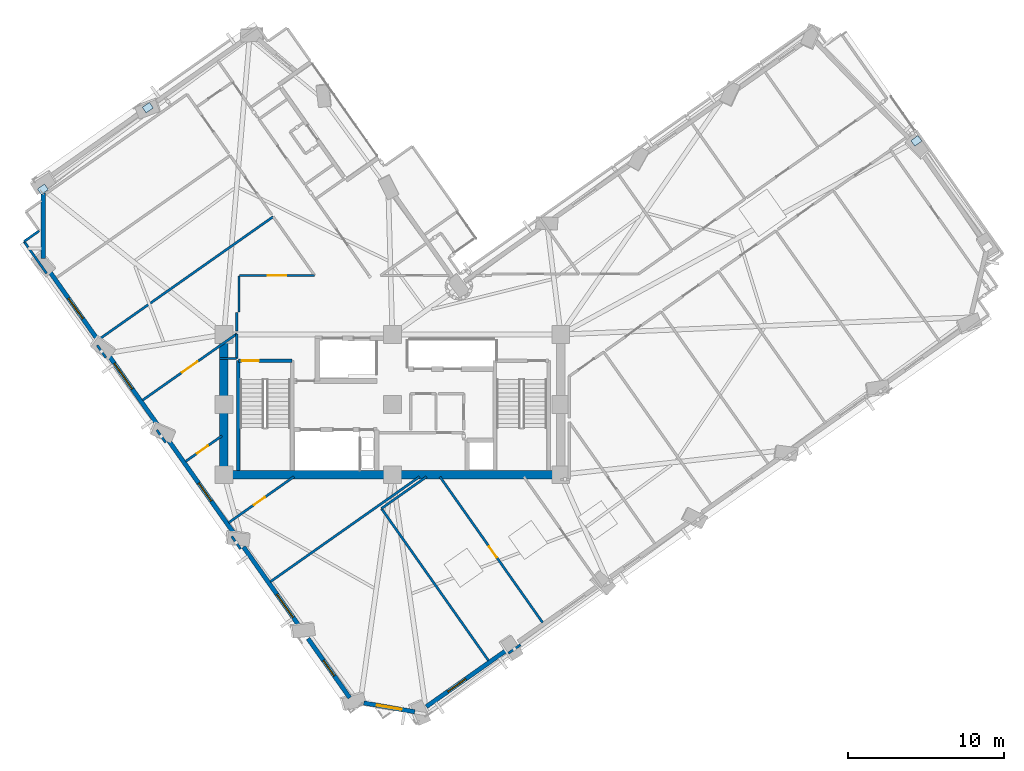
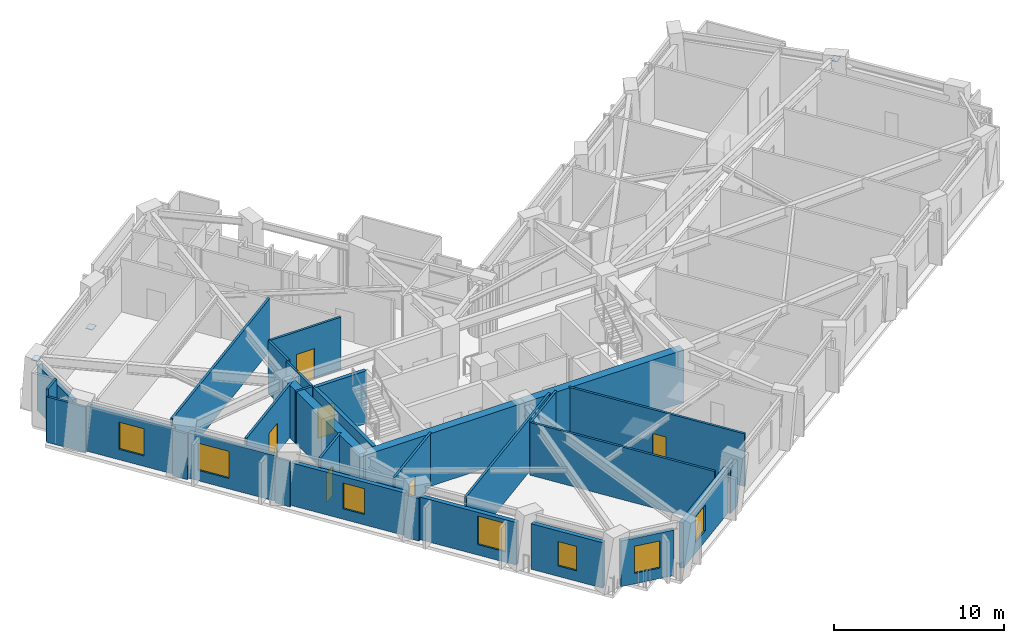
# One storey, part 4 of 13: 32 walls, 7 windows, 6 doors, 3 plates, 13 openings.
"""IFC4 building model written with IfcOpenShell, lengths in metres."""

import ifcopenshell
import ifcopenshell.guid

model = None  # the IFC model being written
_history = None  # IfcOwnerHistory: only IFC2X3 demands one
_inside = {}  # id of a spatial element -> (the spatial element, [elements in it])
_under = {}  # id of a project, library or spatial element -> (it, [spatial elements below it])
_declared = {}  # id of a project -> (the project, [libraries it declares])
_typed = {}  # id of a type object -> (the type object, [elements of that type])
_made_of = {}  # id of a material, layer set ... -> (it, [elements and type objects made of it])


def new_model(schema):
    """Start an empty IFC model of exactly this schema.

    Asked for "IFC4X3", IfcOpenShell would pick the latest addendum, in which some entities
    have other attributes; the version numbers below select the first issue.
    IFC2X3 requires an IfcOwnerHistory on every rooted entity: one is made here for all.
    """
    global model, _history
    if schema == "IFC4X3":
        model = ifcopenshell.file(schema_version=(4, 3, 0, 0))
    else:
        model = ifcopenshell.file(schema=schema)
    _inside.clear()
    _under.clear()
    _declared.clear()
    _typed.clear()
    _made_of.clear()
    _history = None
    if model.schema == "IFC2X3":
        org = make("IfcOrganization", Name="unknown")
        user = make(
            "IfcPersonAndOrganization",
            ThePerson=make("IfcPerson", FamilyName="unknown"),
            TheOrganization=org,
        )
        app = make(
            "IfcApplication",
            ApplicationDeveloper=org,
            Version="unknown",
            ApplicationFullName="unknown",
            ApplicationIdentifier="unknown",
        )
        _history = make(
            "IfcOwnerHistory",
            OwningUser=user,
            OwningApplication=app,
            ChangeAction="ADDED",
            CreationDate=0,
        )
    return model


def make(cls, **values):
    """One entity of the class cls with the attributes given. An attribute that is None is left unset."""
    return model.create_entity(
        cls, **{name: value for name, value in values.items() if value is not None}
    )


def rooted(cls, **values):
    """An entity with a GlobalId (a new one), such as an element, a storey or a relation."""
    return make(cls, GlobalId=ifcopenshell.guid.new(), OwnerHistory=_history, **values)


def si_unit(unit_type, name, prefix=None):
    """IfcSIUnit, for example si_unit("LENGTHUNIT", "METRE", prefix="MILLI")."""
    return make("IfcSIUnit", UnitType=unit_type, Prefix=prefix, Name=name)


def assignment(units):
    """IfcUnitAssignment: the units of a project."""
    return None if units is None else make("IfcUnitAssignment", Units=units)


def point(xyz):
    """IfcCartesianPoint."""
    return None if xyz is None else make("IfcCartesianPoint", Coordinates=xyz)


def direction(xyz):
    """IfcDirection."""
    return None if xyz is None else make("IfcDirection", DirectionRatios=xyz)


def frame(location, z_axis=None, x_axis=None):
    """IfcAxis2Placement3D, a coordinate frame: its origin and axes. An axis left out is left unset."""
    return make(
        "IfcAxis2Placement3D",
        Location=point(location),
        Axis=direction(z_axis),
        RefDirection=direction(x_axis),
    )


def frame_2d(location, x_axis=None):
    """IfcAxis2Placement2D, a coordinate frame in the plane: its origin and x axis."""
    return make(
        "IfcAxis2Placement2D", Location=point(location), RefDirection=direction(x_axis)
    )


def origin():
    """The frame at (0, 0, 0) with its axes left unset."""
    return frame((0.0, 0.0, 0.0))


def origin_2d():
    """The frame at (0, 0) in the plane with its x axis left unset."""
    return frame_2d((0.0, 0.0))


def place(relative_to, where):
    """IfcLocalPlacement: puts the frame where relative to a parent placement (None: the world)."""
    return make(
        "IfcLocalPlacement", PlacementRelTo=relative_to, RelativePlacement=where
    )


def context(
    kind, dimensions, precision=None, world=None, true_north=None, identifier=None
):
    """IfcGeometricRepresentationContext, for example the 3D "Model" context."""
    return make(
        "IfcGeometricRepresentationContext",
        ContextIdentifier=identifier,
        ContextType=kind,
        CoordinateSpaceDimension=dimensions,
        Precision=precision,
        WorldCoordinateSystem=world,
        TrueNorth=true_north,
    )


def subcontext(parent, identifier, kind, view, scale=None):
    """IfcGeometricRepresentationSubContext, for example "Body" below "Model"."""
    return make(
        "IfcGeometricRepresentationSubContext",
        ContextIdentifier=identifier,
        ContextType=kind,
        ParentContext=parent,
        TargetScale=scale,
        TargetView=view,
    )


def project(units=None, contexts=None):
    """IfcProject with its units and contexts."""
    return rooted(
        "IfcProject",
        Name="project",
        RepresentationContexts=contexts,
        UnitsInContext=assignment(units),
    )


def spatial(cls, under=None, at=None, **own):
    """A site, building, storey or space (cls), placed at a placement, below another one or the project."""
    s = rooted(cls, ObjectPlacement=at, **own)
    if under is not None:
        _under.setdefault(under.id(), (under, []))[1].append(s)
    return s


def profile(cls, at=None, kind="AREA", **sizes):
    """A parametric profile (cls). Its sizes go by their IFC names, for example OverallWidth=200.0."""
    return make(cls, ProfileType=kind, Position=at, **sizes)


def rectangle(**sizes):
    """IfcRectangleProfileDef."""
    return profile("IfcRectangleProfileDef", **sizes)


def extrude(swept, where, along, depth):
    """IfcExtrudedAreaSolid: the profile swept, set in the frame where, extruded along a direction by depth."""
    return make(
        "IfcExtrudedAreaSolid",
        SweptArea=swept,
        Position=where,
        ExtrudedDirection=direction(along),
        Depth=depth,
    )


def shape(context_of_items, identifier, shape_type, items):
    """IfcShapeRepresentation: the items that make up one representation, for example the "Body"."""
    return make(
        "IfcShapeRepresentation",
        ContextOfItems=context_of_items,
        RepresentationIdentifier=identifier,
        RepresentationType=shape_type,
        Items=items,
    )


def material(Name=None, Category=None):
    """IfcMaterial."""
    return make("IfcMaterial", Name=Name, Category=Category)


def layer(
    of_material, thickness, ventilated=None, Name=None, Category=None, Priority=None
):
    """IfcMaterialLayer: one layer of a wall or slab, of a material (None: an air gap)."""
    return make(
        "IfcMaterialLayer",
        Material=of_material,
        LayerThickness=thickness,
        IsVentilated=ventilated,
        Name=Name,
        Category=Category,
        Priority=Priority,
    )


def layer_set(layers, Name=None):
    """IfcMaterialLayerSet."""
    return make("IfcMaterialLayerSet", MaterialLayers=layers, LayerSetName=Name)


def made_of(thing, what):
    """Note that an element or type object is made of a material, layer set ...; save() writes the relation."""
    if what is not None:
        _made_of.setdefault(what.id(), (what, []))[1].append(thing)
    return thing


def type_object(cls, material=None, **own):
    """A type object (cls), such as IfcWallType, which elements share."""
    return made_of(rooted(cls, **own), material)


def element(
    cls,
    number,
    at=None,
    inside=None,
    cuts=None,
    type_object=None,
    material=None,
    context=None,
    identifier="Body",
    shape_type=None,
    held_by="IfcProductDefinitionShape",
    body=None,
    shapes=None,
    **own,
):
    """One element of the class cls, such as IfcWall. Its Tag is "e" and its number.

    at: its placement. inside: the storey or other place that contains it. cuts: it is an
    opening in that element (IfcRelVoidsElement). A single representation is given by context,
    identifier, shape_type and body (its items); several are given by shapes. held_by: the class
    of the entity that holds the representations. save() writes the other relations.
    """
    e = rooted(cls, Tag="e%d" % number, ObjectPlacement=at, **own)
    if body is not None:
        shapes = [shape(context, identifier, shape_type, body)]
    if shapes is not None:
        e.Representation = make(held_by, Representations=shapes)
    if inside is not None:
        _inside.setdefault(inside.id(), (inside, []))[1].append(e)
    if cuts is not None:
        rooted(
            "IfcRelVoidsElement", RelatingBuildingElement=cuts, RelatedOpeningElement=e
        )
    if type_object is not None:
        _typed.setdefault(type_object.id(), (type_object, []))[1].append(e)
    return made_of(e, material)


def fill(opening, filler):
    """IfcRelFillsElement: the door or window that sits in an opening."""
    return rooted(
        "IfcRelFillsElement",
        RelatingOpeningElement=opening,
        RelatedBuildingElement=filler,
    )


def aggregate(whole, parts):
    """IfcRelAggregates: a whole, such as a stair, and the parts it consists of."""
    return rooted("IfcRelAggregates", RelatingObject=whole, RelatedObjects=parts)


def save(model, path):
    """Write the relations noted so far, then the file.

    IfcRelAggregates (storeys below a building ...), IfcRelContainedInSpatialStructure (elements
    in a storey), IfcRelDefinesByType, IfcRelAssociatesMaterial and IfcRelDeclares: one each for
    every whole, place, type object, material and project.
    """
    for whole, parts in _under.values():
        aggregate(whole, parts)
    for where, things in _inside.values():
        rooted(
            "IfcRelContainedInSpatialStructure",
            RelatedElements=things,
            RelatingStructure=where,
        )
    for kind, things in _typed.values():
        rooted("IfcRelDefinesByType", RelatedObjects=things, RelatingType=kind)
    for what, things in _made_of.values():
        rooted("IfcRelAssociatesMaterial", RelatedObjects=things, RelatingMaterial=what)
    for by, libraries in _declared.values():
        rooted("IfcRelDeclares", RelatingContext=by, RelatedDefinitions=libraries)
    model.write(path)


model = new_model("IFC4")

# Units and contexts
model_context = context("Model", 3, precision=1e-05, world=origin(), true_north=direction((0.0, 1.0)))
body_context = subcontext(model_context, "Body", "Model", "MODEL_VIEW")
ifc_project = project(units=[si_unit("LENGTHUNIT", "METRE"), si_unit("AREAUNIT", "SQUARE_METRE"), si_unit("VOLUMEUNIT", "CUBIC_METRE"), si_unit("PLANEANGLEUNIT", "RADIAN"), si_unit("MASSUNIT", "GRAM", prefix="KILO")], contexts=[model_context])

# Site, building, storey
site_placement = place(None, origin())
site = spatial("IfcSite", under=ifc_project, at=site_placement, CompositionType="ELEMENT")
building_placement = place(site_placement, origin())
building = spatial("IfcBuilding", under=site, at=building_placement, Name="Gaonmaruhae Medical Tower", CompositionType="ELEMENT")
storey_placement = place(building_placement, frame((0.0, 0.0, 173.800048828125)))
storey = spatial("IfcBuildingStorey", under=building, at=storey_placement, Name="L41", CompositionType="ELEMENT", Elevation=173.800048828125)

# Plates
ifc_material_1 = material(Name="Steel HSA650 (650 MPa)", Category="steel")
ifc_layer_1 = layer(ifc_material_1, 0.028076171875)
ifc_layer_set_1 = layer_set([ifc_layer_1], Name="Steel HSA650 (650 MPa)")
plate_type = type_object("IfcPlateType", Name="GP-02 Tube Brace End Cap Gusset Plate", PredefinedType="USERDEFINED", material=ifc_layer_set_1)
for number, where, z_axis, x_axis, name in (
    (1, (58.41162109375, 29.217041015625, 3.51611328125), (0.0, 0.0, 1.0), (0.807989883898, 0.589196357353, 0.0), "L41 Gusset Cap Plate PLT-L41-PBR-E01B"),
    (2, (9.115478515625, 31.347900390625, 0.23583984375), (0.0, 0.0, 1.0), (0.817647619217, 0.575719003324, 0.0), "L41 Gusset Cap Plate PLT-L41-PBR-N02A"),
    (3, (2.384765625, 26.109619140625, 3.51611328125), (0.0, 0.0, 1.0), (0.807989883898, 0.589196357353, 0.0), "L41 Gusset Cap Plate PLT-L41-PBR-N02B"),
):
    element("IfcPlate", number, at=place(storey_placement, frame(where, z_axis=z_axis, x_axis=x_axis)), inside=storey, type_object=plate_type, Name=name, ObjectType="GUSSET_PLATE", PredefinedType="USERDEFINED", context=body_context, shape_type="SweptSolid", body=[
        extrude(rectangle(XDim=0.56005859375, YDim=0.43994140625, at=origin_2d()), origin(), (0.0, 0.0, 1.0), 0.028076171875),
    ])

# Walls
ifc_material_2 = material(Name="Concrete C50/60", Category="concrete")
ifc_layer_2 = layer(ifc_material_2, 0.550048828125)
ifc_layer_set_2 = layer_set([ifc_layer_2], Name="Concrete C50/60")
wall_type_1 = type_object("IfcWallType", Name="CW-550 Mid-High Core Shear Wall", PredefinedType="SHEAR", material=ifc_layer_set_2)
for number, where, z_axis, x_axis, name in (
    (4, (14.0, 7.800048828125, 0.0), (0.0, 0.0, 1.0), (1.0, 0.0, 0.0), "L41 Core Shear Wall CSW-S1"),
    (5, (24.800048828125, 7.800048828125, 0.0), (0.0, 0.0, 1.0), (1.0, 0.0, 0.0), "L41 Core Shear Wall CSW-S2"),
):
    element("IfcWall", number, at=place(storey_placement, frame(where, z_axis=z_axis, x_axis=x_axis)), inside=storey, type_object=wall_type_1, Name=name, PredefinedType="SHEAR", context=body_context, shape_type="SweptSolid", body=[
        extrude(rectangle(XDim=10.800048828125, YDim=0.550048828125, at=frame_2d((5.39990234375, 0.0))), origin(), (0.0, 0.0, 1.0), 3.780029296875),
    ])
wall_1_placement = place(storey_placement, frame((14.0, 16.800048828125, 0.0), z_axis=(0.0, 0.0, 1.0), x_axis=(0.0, -1.0, 0.0)))
element("IfcWall", 6, at=wall_1_placement, inside=storey, type_object=wall_type_1, Name="L41 Core Shear Wall CSW-W1", PredefinedType="SHEAR", context=body_context, shape_type="SweptSolid", body=[
    extrude(rectangle(XDim=9.0, YDim=0.550048828125, at=frame_2d((4.5, 0.0))), origin(), (0.0, 0.0, 1.0), 3.780029296875),
])

# Wall, opening, window
ifc_material_3 = material(Name="Precast concrete C45/55", Category="concrete")
ifc_layer_3 = layer(ifc_material_3, 0.280029296875)
ifc_layer_set_3 = layer_set([ifc_layer_3], Name="Precast concrete C45/55")
wall_type_2 = type_object("IfcWallType", Name="EW-280 Upper Precast Masonry-Frame Facade Wall", PredefinedType="SOLIDWALL", material=ifc_layer_set_3)
wall_2_placement = place(storey_placement, frame((32.10888671875, -3.462158203125, 0.0), z_axis=(0.0, 0.0, 1.0), x_axis=(-0.817648237546, -0.57571812516, 0.0)))
wall_2 = element("IfcWall", 7, at=wall_2_placement, inside=storey, type_object=wall_type_2, Name="L41 Precast Masonry-Frame Wall S01-S02", PredefinedType="SOLIDWALL", context=body_context, shape_type="SweptSolid", body=[
    extrude(rectangle(XDim=6.269775390625, YDim=0.280029296875, at=frame_2d((3.134765625, 0.0))), origin(), (0.0, 0.0, 1.0), 3.264892578125),
])
opening_1_placement = place(wall_2_placement, frame((3.18408203125, 0.0, 0.75)))
opening_1 = element("IfcOpeningElement", 8, at=opening_1_placement, cuts=wall_2, Name="Opening WN-03", PredefinedType="OPENING", context=body_context, shape_type="SweptSolid", body=[
    extrude(rectangle(XDim=1.39990234375, YDim=1.85009765625, at=frame_2d((0.699951171875, 0.925048828125))), frame((0.0, 0.14990234375, 0.0), z_axis=(0.0, -1.0, 0.0), x_axis=(1.0, 0.0, 0.0)), (0.0, 0.0, 1.0), 0.300048828125),
])
ifc_material_4 = material(Name="Anodised aluminium and Low-E double glazing", Category="aluminium")
window_type_1 = type_object("IfcWindowType", Name="WN-03 Isolation Ward Punched Window 1400x1850", PartitioningType="SINGLE_PANEL", PredefinedType="WINDOW", material=ifc_material_4)
window_1_placement = place(opening_1_placement, origin())
window_1 = element("IfcWindow", 9, at=window_1_placement, inside=storey, type_object=window_type_1, Name="L41 Modular Facade Window S01", OverallHeight=1.85009765625, OverallWidth=1.39990234375, PartitioningType="SINGLE_PANEL", PredefinedType="WINDOW", context=body_context, shape_type="SweptSolid", body=[
    extrude(rectangle(XDim=1.39990234375, YDim=1.85009765625, at=frame_2d((0.699951171875, 0.925048828125))), frame((0.0, 0.030029296875, 0.0), z_axis=(0.0, -1.0, 0.0), x_axis=(1.0, 0.0, 0.0)), (0.0, 0.0, 1.0), 0.06005859375),
])
fill(opening_1, window_1)

# Wall
wall_3_placement = place(storey_placement, frame((2.40478515625, 21.66162109375, 0.0), z_axis=(0.0, 0.0, 1.0), x_axis=(0.001217602159, 0.999999258722, 0.0)))
element("IfcWall", 10, at=wall_3_placement, inside=storey, type_object=wall_type_2, Name="L41 Precast Masonry-Frame Wall N03-W01", PredefinedType="SOLIDWALL", context=body_context, shape_type="SweptSolid", body=[
    extrude(rectangle(XDim=4.210693359375, YDim=0.280029296875, at=frame_2d((2.10546875, 0.0))), origin(), (0.0, 0.0, 1.0), 3.264892578125),
])

# Wall, opening, window
wall_4_placement = place(storey_placement, frame((6.052978515625, 16.243408203125, 0.0), z_axis=(0.0, 0.0, 1.0), x_axis=(-0.575713674911, 0.817651371014, 0.0)))
wall_4 = element("IfcWall", 11, at=wall_4_placement, inside=storey, type_object=wall_type_2, Name="L41 Precast Masonry-Frame Wall W01-W02", PredefinedType="SOLIDWALL", context=body_context, shape_type="SweptSolid", body=[
    extrude(rectangle(XDim=5.627685546875, YDim=0.280029296875, at=frame_2d((2.81396484375, 0.0))), origin(), (0.0, 0.0, 1.0), 3.264892578125),
])
opening_2_placement = place(wall_4_placement, frame((1.916748046875, 0.0, 0.75)))
opening_2 = element("IfcOpeningElement", 12, at=opening_2_placement, cuts=wall_4, Name="Opening WN-01", PredefinedType="OPENING", context=body_context, shape_type="SweptSolid", body=[
    extrude(rectangle(XDim=1.60009765625, YDim=1.949951171875, at=frame_2d((0.800048828125, 0.97509765625))), frame((0.0, 0.14990234375, 0.0), z_axis=(0.0, -1.0, 0.0), x_axis=(1.0, 0.0, 0.0)), (0.0, 0.0, 1.0), 0.300048828125),
])
window_type_2 = type_object("IfcWindowType", Name="WN-01 Ward Punched Acoustic Window 1600x1950", PartitioningType="SINGLE_PANEL", PredefinedType="WINDOW", material=ifc_material_4)
window_2_placement = place(opening_2_placement, origin())
window_2 = element("IfcWindow", 13, at=window_2_placement, inside=storey, type_object=window_type_2, Name="L41 Modular Facade Window W01", OverallHeight=1.949951171875, OverallWidth=1.60009765625, PartitioningType="SINGLE_PANEL", PredefinedType="WINDOW", context=body_context, shape_type="SweptSolid", body=[
    extrude(rectangle(XDim=1.60009765625, YDim=1.949951171875, at=frame_2d((0.800048828125, 0.97509765625))), frame((0.0, 0.030029296875, 0.0), z_axis=(0.0, -1.0, 0.0), x_axis=(1.0, 0.0, 0.0)), (0.0, 0.0, 1.0), 0.06005859375),
])
fill(opening_2, window_2)

wall_5_placement = place(storey_placement, frame((9.87841796875, 10.810302734375, 0.0), z_axis=(0.0, 0.0, 1.0), x_axis=(-0.575714474807, 0.817650807801, 0.0)))
wall_5 = element("IfcWall", 14, at=wall_5_placement, inside=storey, type_object=wall_type_2, Name="L41 Precast Masonry-Frame Wall W02-W03", PredefinedType="SOLIDWALL", context=body_context, shape_type="SweptSolid", body=[
    extrude(rectangle(XDim=5.662109375, YDim=0.280029296875, at=frame_2d((2.8310546875, 0.0))), origin(), (0.0, 0.0, 1.0), 3.264892578125),
])
opening_3_placement = place(wall_5_placement, frame((3.0556640625, 0.0, 0.75)))
opening_3 = element("IfcOpeningElement", 15, at=opening_3_placement, cuts=wall_5, Name="Opening WN-02", PredefinedType="OPENING", context=body_context, shape_type="SweptSolid", body=[
    extrude(rectangle(XDim=2.0, YDim=1.949951171875, at=frame_2d((1.0, 0.97509765625))), frame((0.0, 0.14990234375, 0.0), z_axis=(0.0, -1.0, 0.0), x_axis=(1.0, 0.0, 0.0)), (0.0, 0.0, 1.0), 0.300048828125),
])
window_type_3 = type_object("IfcWindowType", Name="WN-02 Double-Bed Ward Punched Window 2000x1950", PartitioningType="SINGLE_PANEL", PredefinedType="WINDOW", material=ifc_material_4)
window_3_placement = place(opening_3_placement, origin())
window_3 = element("IfcWindow", 16, at=window_3_placement, inside=storey, type_object=window_type_3, Name="L41 Modular Facade Window W02", OverallHeight=1.949951171875, OverallWidth=2.0, PartitioningType="SINGLE_PANEL", PredefinedType="WINDOW", context=body_context, shape_type="SweptSolid", body=[
    extrude(rectangle(XDim=2.0, YDim=1.949951171875, at=frame_2d((1.0, 0.97509765625))), frame((0.0, 0.030029296875, 0.0), z_axis=(0.0, -1.0, 0.0), x_axis=(1.0, 0.0, 0.0)), (0.0, 0.0, 1.0), 0.06005859375),
])
fill(opening_3, window_3)

wall_6_placement = place(storey_placement, frame((14.68701171875, 3.981201171875, 0.0), z_axis=(0.0, 0.0, 1.0), x_axis=(-0.575708660285, 0.817654901822, 0.0)))
wall_6 = element("IfcWall", 17, at=wall_6_placement, inside=storey, type_object=wall_type_2, Name="L41 Precast Masonry-Frame Wall W03-W04", PredefinedType="SOLIDWALL", context=body_context, shape_type="SweptSolid", body=[
    extrude(rectangle(XDim=7.360107421875, YDim=0.280029296875, at=frame_2d((3.68017578125, 0.0))), origin(), (0.0, 0.0, 1.0), 3.06494140625),
])
opening_4_placement = place(wall_6_placement, frame((2.614013671875, 0.0, 0.75)))
opening_4 = element("IfcOpeningElement", 18, at=opening_4_placement, cuts=wall_6, Name="Opening WN-03", PredefinedType="OPENING", context=body_context, shape_type="SweptSolid", body=[
    extrude(rectangle(XDim=1.39990234375, YDim=1.85009765625, at=frame_2d((0.699951171875, 0.925048828125))), frame((0.0, 0.14990234375, 0.0), z_axis=(0.0, -1.0, 0.0), x_axis=(1.0, 0.0, 0.0)), (0.0, 0.0, 1.0), 0.300048828125),
])
window_4_placement = place(opening_4_placement, origin())
window_4 = element("IfcWindow", 19, at=window_4_placement, inside=storey, type_object=window_type_1, Name="L41 Modular Facade Window W03", OverallHeight=1.85009765625, OverallWidth=1.39990234375, PartitioningType="SINGLE_PANEL", PredefinedType="WINDOW", context=body_context, shape_type="SweptSolid", body=[
    extrude(rectangle(XDim=1.39990234375, YDim=1.85009765625, at=frame_2d((0.699951171875, 0.925048828125))), frame((0.0, 0.030029296875, 0.0), z_axis=(0.0, -1.0, 0.0), x_axis=(1.0, 0.0, 0.0)), (0.0, 0.0, 1.0), 0.06005859375),
])
fill(opening_4, window_4)

wall_7_placement = place(storey_placement, frame((18.837890625, -1.9140625, 0.0), z_axis=(0.0, 0.0, 1.0), x_axis=(-0.575721738491, 0.817645693334, 0.0)))
wall_7 = element("IfcWall", 20, at=wall_7_placement, inside=storey, type_object=wall_type_2, Name="L41 Precast Masonry-Frame Wall W04-W05", PredefinedType="SOLIDWALL", context=body_context, shape_type="SweptSolid", body=[
    extrude(rectangle(XDim=6.223388671875, YDim=0.280029296875, at=frame_2d((3.11181640625, 0.0))), origin(), (0.0, 0.0, 1.0), 3.06494140625),
])
opening_5_placement = place(wall_7_placement, frame((0.7001953125, 0.0, 0.75)))
opening_5 = element("IfcOpeningElement", 21, at=opening_5_placement, cuts=wall_7, Name="Opening WN-04", PredefinedType="OPENING", context=body_context, shape_type="SweptSolid", body=[
    extrude(rectangle(XDim=1.800048828125, YDim=2.050048828125, at=frame_2d((0.89990234375, 1.02490234375))), frame((0.0, 0.14990234375, 0.0), z_axis=(0.0, -1.0, 0.0), x_axis=(1.0, 0.0, 0.0)), (0.0, 0.0, 1.0), 0.300048828125),
])
window_type_4 = type_object("IfcWindowType", Name="WN-04 Clinic & Consult Punched Window 1800x2050", PartitioningType="SINGLE_PANEL", PredefinedType="WINDOW", material=ifc_material_4)
window_5_placement = place(opening_5_placement, origin())
window_5 = element("IfcWindow", 22, at=window_5_placement, inside=storey, type_object=window_type_4, Name="L41 Modular Facade Window W04", OverallHeight=2.050048828125, OverallWidth=1.800048828125, PartitioningType="SINGLE_PANEL", PredefinedType="WINDOW", context=body_context, shape_type="SweptSolid", body=[
    extrude(rectangle(XDim=1.800048828125, YDim=2.050048828125, at=frame_2d((0.89990234375, 1.02490234375))), frame((0.0, 0.030029296875, 0.0), z_axis=(0.0, -1.0, 0.0), x_axis=(1.0, 0.0, 0.0)), (0.0, 0.0, 1.0), 0.06005859375),
])
fill(opening_5, window_5)

wall_8_placement = place(storey_placement, frame((22.0693359375, -6.50341796875, 0.0), z_axis=(0.0, 0.0, 1.0), x_axis=(-0.575723715056, 0.81764430159, 0.0)))
wall_8 = element("IfcWall", 23, at=wall_8_placement, inside=storey, type_object=wall_type_2, Name="L41 Precast Masonry-Frame Wall W05-W06", PredefinedType="SOLIDWALL", context=body_context, shape_type="SweptSolid", body=[
    extrude(rectangle(XDim=4.647216796875, YDim=0.280029296875, at=frame_2d((2.32373046875, 0.0))), origin(), (0.0, 0.0, 1.0), 3.264892578125),
])
opening_6_placement = place(wall_8_placement, frame((1.72705078125, 0.0, 0.75)))
opening_6 = element("IfcOpeningElement", 24, at=opening_6_placement, cuts=wall_8, Name="Opening WN-05", PredefinedType="OPENING", context=body_context, shape_type="SweptSolid", body=[
    extrude(rectangle(XDim=1.199951171875, YDim=1.75, at=frame_2d((0.60009765625, 0.875))), frame((0.0, 0.14990234375, 0.0), z_axis=(0.0, -1.0, 0.0), x_axis=(1.0, 0.0, 0.0)), (0.0, 0.0, 1.0), 0.300048828125),
])
window_type_5 = type_object("IfcWindowType", Name="WN-05 Support & Staff Punched Window 1200x1750", PartitioningType="SINGLE_PANEL", PredefinedType="WINDOW", material=ifc_material_4)
window_6_placement = place(opening_6_placement, origin())
window_6 = element("IfcWindow", 25, at=window_6_placement, inside=storey, type_object=window_type_5, Name="L41 Modular Facade Window W05", OverallHeight=1.75, OverallWidth=1.199951171875, PartitioningType="SINGLE_PANEL", PredefinedType="WINDOW", context=body_context, shape_type="SweptSolid", body=[
    extrude(rectangle(XDim=1.199951171875, YDim=1.75, at=frame_2d((0.60009765625, 0.875))), frame((0.0, 0.030029296875, 0.0), z_axis=(0.0, -1.0, 0.0), x_axis=(1.0, 0.0, 0.0)), (0.0, 0.0, 1.0), 0.06005859375),
])
fill(opening_6, window_6)

wall_9_placement = place(storey_placement, frame((26.239990234375, -7.402099609375, 0.0), z_axis=(0.0, 0.0, 1.0), x_axis=(-0.985263477488, 0.171043503027, 0.0)))
wall_9 = element("IfcWall", 26, at=wall_9_placement, inside=storey, type_object=wall_type_2, Name="L41 Precast Masonry-Frame Wall W06-S01", PredefinedType="SOLIDWALL", context=body_context, shape_type="SweptSolid", body=[
    extrude(rectangle(XDim=3.322998046875, YDim=0.280029296875, at=frame_2d((1.66162109375, 0.0))), origin(), (0.0, 0.0, 1.0), 3.264892578125),
])
opening_7_placement = place(wall_9_placement, frame((0.861083984375, 0.0, 0.75)))
opening_7 = element("IfcOpeningElement", 27, at=opening_7_placement, cuts=wall_9, Name="Opening WN-01", PredefinedType="OPENING", context=body_context, shape_type="SweptSolid", body=[
    extrude(rectangle(XDim=1.60009765625, YDim=1.949951171875, at=frame_2d((0.800048828125, 0.97509765625))), frame((0.0, 0.14990234375, 0.0), z_axis=(0.0, -1.0, 0.0), x_axis=(1.0, 0.0, 0.0)), (0.0, 0.0, 1.0), 0.300048828125),
])
window_7_placement = place(opening_7_placement, origin())
window_7 = element("IfcWindow", 28, at=window_7_placement, inside=storey, type_object=window_type_2, Name="L41 Modular Facade Window W06", OverallHeight=1.949951171875, OverallWidth=1.60009765625, PartitioningType="SINGLE_PANEL", PredefinedType="WINDOW", context=body_context, shape_type="SweptSolid", body=[
    extrude(rectangle(XDim=1.60009765625, YDim=1.949951171875, at=frame_2d((0.800048828125, 0.97509765625))), frame((0.0, 0.030029296875, 0.0), z_axis=(0.0, -1.0, 0.0), x_axis=(1.0, 0.0, 0.0)), (0.0, 0.0, 1.0), 0.06005859375),
])
fill(opening_7, window_7)

# Walls
ifc_material_5 = material(Name="Gypsum board partition", Category="gypsum")
ifc_layer_4 = layer(ifc_material_5, 0.14990234375)
ifc_layer_set_4 = layer_set([ifc_layer_4], Name="Gypsum board partition")
wall_type_3 = type_object("IfcWallType", Name="PW-150 Rated Clinical Corridor Partition", PredefinedType="PARTITIONING", material=ifc_layer_set_4)
wall_10_placement = place(storey_placement, frame((33.01904296875, -3.10205078125, 0.0), z_axis=(0.0, 0.0, 1.0), x_axis=(-0.817649865227, -0.575715813483, 0.0)))
element("IfcWall", 29, at=wall_10_placement, inside=storey, type_object=wall_type_3, Name="L41 Interior Partition L41-SUP03-8", PredefinedType="PARTITIONING", context=body_context, shape_type="SweptSolid", body=[
    extrude(rectangle(XDim=0.95166015625, YDim=0.14990234375, at=frame_2d((0.475830078125, 0.0))), origin(), (0.0, 0.0, 1.0), 3.264892578125),
])
wall_11_placement = place(storey_placement, frame((30.971923828125, -4.1220703125, 0.0), z_axis=(0.0, 0.0, 1.0), x_axis=(-0.57572141369, 0.817645922034, 0.0)))
element("IfcWall", 30, at=wall_11_placement, inside=storey, type_object=wall_type_3, Name="L41 Interior Partition L41-SUP03-9", PredefinedType="PARTITIONING", context=body_context, shape_type="SweptSolid", body=[
    extrude(rectangle(XDim=11.934326171875, YDim=0.14990234375, at=frame_2d((5.96728515625, 0.0))), origin(), (0.0, 0.0, 1.0), 3.780029296875),
])
wall_12_placement = place(storey_placement, frame((24.10107421875, 5.635986328125, 0.0), z_axis=(0.0, 0.0, 1.0), x_axis=(0.817472101836, 0.575968195928, 0.0)))
element("IfcWall", 31, at=wall_12_placement, inside=storey, type_object=wall_type_3, Name="L41 Interior Partition L41-SUP03-10", PredefinedType="PARTITIONING", context=body_context, shape_type="SweptSolid", body=[
    extrude(rectangle(XDim=3.540283203125, YDim=0.14990234375, at=frame_2d((1.77001953125, 0.0))), origin(), (0.0, 0.0, 1.0), 3.780029296875),
])

# Wall, opening, door
wall_13_placement = place(storey_placement, frame((27.85498046875, 7.6689453125, 0.0), z_axis=(0.0, 0.0, 1.0), x_axis=(0.57575409581, -0.8176229089, 0.0)))
wall_13 = element("IfcWall", 32, at=wall_13_placement, inside=storey, type_object=wall_type_3, Name="L41 Interior Partition L41-SUP03-11", PredefinedType="PARTITIONING", context=body_context, shape_type="SweptSolid", body=[
    extrude(rectangle(XDim=11.435302734375, YDim=0.14990234375, at=frame_2d((5.7177734375, 0.0))), origin(), (0.0, 0.0, 1.0), 3.780029296875),
])
opening_8_placement = place(wall_13_placement, frame((5.47119140625, 0.0, 0.0)))
opening_8 = element("IfcOpeningElement", 33, at=opening_8_placement, cuts=wall_13, Name="Opening AD-01", PredefinedType="OPENING", context=body_context, shape_type="SweptSolid", body=[
    extrude(rectangle(XDim=0.860107421875, YDim=2.06005859375, at=frame_2d((0.43017578125, 1.030029296875))), frame((0.0, 0.0849609375, 0.0), z_axis=(0.0, -1.0, 0.0), x_axis=(1.0, 0.0, 0.0)), (0.0, 0.0, 1.0), 0.169921875),
])
ifc_material_6 = material(Name="Powder-coated steel access door", Category="steel")
door_type_1 = type_object("IfcDoorType", Name="AD-01 Riser & Closet Access Fire Door 860x2060", OperationType="NOTDEFINED", PredefinedType="DOOR", material=ifc_material_6)
door_1_placement = place(opening_8_placement, origin())
door_1 = element("IfcDoor", 34, at=door_1_placement, inside=storey, type_object=door_type_1, Name="L41 Clinical Biomedical Charting Office Sliding Door", OperationType="SLIDING_TO_LEFT", OverallHeight=2.06005859375, OverallWidth=0.860107421875, PredefinedType="DOOR", context=body_context, shape_type="SweptSolid", body=[
    extrude(rectangle(XDim=0.860107421875, YDim=2.06005859375, at=frame_2d((0.43017578125, 1.030029296875))), frame((0.0, 0.02490234375, 0.0), z_axis=(0.0, -1.0, 0.0), x_axis=(1.0, 0.0, 0.0)), (0.0, 0.0, 1.0), 0.050048828125),
])
fill(opening_8, door_1)

# Wall
wall_14_placement = place(storey_placement, frame((15.06689453125, 3.0419921875, 0.0), z_axis=(0.0, 0.0, 1.0), x_axis=(-0.575419868923, 0.817858162794, 0.0)))
element("IfcWall", 35, at=wall_14_placement, inside=storey, type_object=wall_type_3, Name="L41 Interior Partition L41-WOF12-37", PredefinedType="PARTITIONING", context=body_context, shape_type="SweptSolid", body=[
    extrude(rectangle(XDim=0.98681640625, YDim=0.14990234375, at=frame_2d((0.493408203125, 0.0))), origin(), (0.0, 0.0, 1.0), 3.06494140625),
])

# Wall, opening, door
wall_15_placement = place(storey_placement, frame((14.301025390625, 4.72900390625, 0.0), z_axis=(0.0, 0.0, 1.0), x_axis=(0.81765087294, 0.575714382295, 0.0)))
wall_15 = element("IfcWall", 36, at=wall_15_placement, inside=storey, type_object=wall_type_3, Name="L41 Interior Partition L41-WOF12-38", PredefinedType="PARTITIONING", context=body_context, shape_type="SweptSolid", body=[
    extrude(rectangle(XDim=5.1171875, YDim=0.14990234375, at=frame_2d((2.55859375, 0.0))), origin(), (0.0, 0.0, 1.0), 3.780029296875),
])
opening_9_placement = place(wall_15_placement, frame((1.976318359375, 0.0, 0.0)))
opening_9 = element("IfcOpeningElement", 37, at=opening_9_placement, cuts=wall_15, Name="Opening AD-01", PredefinedType="OPENING", context=body_context, shape_type="SweptSolid", body=[
    extrude(rectangle(XDim=0.860107421875, YDim=2.06005859375, at=frame_2d((0.43017578125, 1.030029296875))), frame((0.0, 0.0849609375, 0.0), z_axis=(0.0, -1.0, 0.0), x_axis=(1.0, 0.0, 0.0)), (0.0, 0.0, 1.0), 0.169921875),
])
door_2_placement = place(opening_9_placement, origin())
door_2 = element("IfcDoor", 38, at=door_2_placement, inside=storey, type_object=door_type_1, Name="L41 Ward Physician Reporting Office Sliding Door", OperationType="SLIDING_TO_LEFT", OverallHeight=2.06005859375, OverallWidth=0.860107421875, PredefinedType="DOOR", context=body_context, shape_type="SweptSolid", body=[
    extrude(rectangle(XDim=0.860107421875, YDim=2.06005859375, at=frame_2d((0.43017578125, 1.030029296875))), frame((0.0, 0.02490234375, 0.0), z_axis=(0.0, -1.0, 0.0), x_axis=(1.0, 0.0, 0.0)), (0.0, 0.0, 1.0), 0.050048828125),
])
fill(opening_9, door_2)

# Wall
wall_16_placement = place(storey_placement, frame((26.544921875, 7.675048828125, 0.0), z_axis=(0.0, 0.0, 1.0), x_axis=(-0.817707532324, -0.575633904127, 0.0)))
element("IfcWall", 39, at=wall_16_placement, inside=storey, type_object=wall_type_3, Name="L41 Interior Partition L41-WOF12-39", PredefinedType="PARTITIONING", context=body_context, shape_type="SweptSolid", body=[
    extrude(rectangle(XDim=11.70703125, YDim=0.14990234375, at=frame_2d((5.853515625, 0.0))), origin(), (0.0, 0.0, 1.0), 3.780029296875),
])

# Wall, opening, door
wall_17_placement = place(storey_placement, frame((11.537109375, 8.654052734375, 0.0), z_axis=(0.0, 0.0, 1.0), x_axis=(0.817648208758, 0.575718166045, 0.0)))
wall_17 = element("IfcWall", 40, at=wall_17_placement, inside=storey, type_object=wall_type_3, Name="L41 Interior Partition L41-WOF13-40", PredefinedType="PARTITIONING", context=body_context, shape_type="SweptSolid", body=[
    extrude(rectangle(XDim=2.851806640625, YDim=0.14990234375, at=frame_2d((1.42578125, 0.0))), origin(), (0.0, 0.0, 1.0), 3.780029296875),
])
opening_10_placement = place(wall_17_placement, frame((0.892578125, 0.0, 0.0)))
opening_10 = element("IfcOpeningElement", 41, at=opening_10_placement, cuts=wall_17, Name="Opening AD-01", PredefinedType="OPENING", context=body_context, shape_type="SweptSolid", body=[
    extrude(rectangle(XDim=0.860107421875, YDim=2.06005859375, at=frame_2d((0.43017578125, 1.030029296875))), frame((0.0, 0.0849609375, 0.0), z_axis=(0.0, -1.0, 0.0), x_axis=(1.0, 0.0, 0.0)), (0.0, 0.0, 1.0), 0.169921875),
])
door_3_placement = place(opening_10_placement, origin())
door_3 = element("IfcDoor", 42, at=door_3_placement, inside=storey, type_object=door_type_1, Name="L41 Ward Physician Reporting Office Sliding Door", OperationType="SLIDING_TO_LEFT", OverallHeight=2.06005859375, OverallWidth=0.860107421875, PredefinedType="DOOR", context=body_context, shape_type="SweptSolid", body=[
    extrude(rectangle(XDim=0.860107421875, YDim=2.06005859375, at=frame_2d((0.43017578125, 1.030029296875))), frame((0.0, 0.02490234375, 0.0), z_axis=(0.0, -1.0, 0.0), x_axis=(1.0, 0.0, 0.0)), (0.0, 0.0, 1.0), 0.050048828125),
])
fill(opening_10, door_3)

# Walls
wall_18_placement = place(storey_placement, frame((14.824951171875, 16.839111328125, 0.0), z_axis=(0.0, 0.0, 1.0), x_axis=(-0.003092131167, -0.999995219351, 0.0)))
element("IfcWall", 43, at=wall_18_placement, inside=storey, type_object=wall_type_3, Name="L41 Interior Partition L41-WCL14-41", PredefinedType="PARTITIONING", context=body_context, shape_type="SweptSolid", body=[
    extrude(rectangle(XDim=1.5791015625, YDim=0.14990234375, at=frame_2d((0.78955078125, 0.0))), origin(), (0.0, 0.0, 1.0), 3.780029296875),
])
wall_19_placement = place(storey_placement, frame((14.820068359375, 15.260009765625, 0.0), z_axis=(0.0, 0.0, 1.0), x_axis=(-1.0, 0.0, 0.0)))
element("IfcWall", 44, at=wall_19_placement, inside=storey, type_object=wall_type_3, Name="L41 Interior Partition L41-WCL14-42", PredefinedType="PARTITIONING", context=body_context, shape_type="SweptSolid", body=[
    extrude(rectangle(XDim=1.1201171875, YDim=0.14990234375, at=frame_2d((0.56005859375, 0.0))), origin(), (0.0, 0.0, 1.0), 3.780029296875),
])
wall_20_placement = place(storey_placement, frame((10.260986328125, 9.866943359375, 0.0), z_axis=(0.0, 0.0, 1.0), x_axis=(-0.575706777747, 0.817656227309, 0.0)))
element("IfcWall", 45, at=wall_20_placement, inside=storey, type_object=wall_type_3, Name="L41 Interior Partition L41-WCL14-43", PredefinedType="PARTITIONING", context=body_context, shape_type="SweptSolid", body=[
    extrude(rectangle(XDim=0.991943359375, YDim=0.14990234375, at=frame_2d((0.49609375, 0.0))), origin(), (0.0, 0.0, 1.0), 3.264892578125),
])

# Wall, opening, door
wall_21_placement = place(storey_placement, frame((8.77392578125, 12.5791015625, 0.0), z_axis=(0.0, 0.0, 1.0), x_axis=(0.817686785851, 0.575663374069, 0.0)))
wall_21 = element("IfcWall", 46, at=wall_21_placement, inside=storey, type_object=wall_type_3, Name="L41 Interior Partition L41-WCL14-44", PredefinedType="PARTITIONING", context=body_context, shape_type="SweptSolid", body=[
    extrude(rectangle(XDim=7.400146484375, YDim=0.14990234375, at=frame_2d((3.7001953125, 0.0))), origin(), (0.0, 0.0, 1.0), 3.780029296875),
])
opening_11_placement = place(wall_21_placement, frame((3.10009765625, 0.0, 0.0)))
opening_11 = element("IfcOpeningElement", 47, at=opening_11_placement, cuts=wall_21, Name="Opening CD-02", PredefinedType="OPENING", context=body_context, shape_type="SweptSolid", body=[
    extrude(rectangle(XDim=1.199951171875, YDim=2.14990234375, at=frame_2d((0.60009765625, 1.074951171875))), frame((0.0, 0.0849609375, 0.0), z_axis=(0.0, -1.0, 0.0), x_axis=(1.0, 0.0, 0.0)), (0.0, 0.0, 1.0), 0.169921875),
])
ifc_material_7 = material(Name="Antimicrobial laminate timber fire door", Category="wood")
door_type_2 = type_object("IfcDoorType", Name="CD-02 Clinical Treatment & Procedure Door 1200x2150", OperationType="NOTDEFINED", PredefinedType="DOOR", material=ifc_material_7)
door_4_placement = place(opening_11_placement, origin())
door_4 = element("IfcDoor", 48, at=door_4_placement, inside=storey, type_object=door_type_2, Name="L41 Specialist Consultation Office Sliding Door", OperationType="SLIDING_TO_LEFT", OverallHeight=2.14990234375, OverallWidth=1.199951171875, PredefinedType="DOOR", context=body_context, shape_type="SweptSolid", body=[
    extrude(rectangle(XDim=1.199951171875, YDim=2.14990234375, at=frame_2d((0.60009765625, 1.074951171875))), frame((0.0, 0.02490234375, 0.0), z_axis=(0.0, -1.0, 0.0), x_axis=(1.0, 0.0, 0.0)), (0.0, 0.0, 1.0), 0.050048828125),
])
fill(opening_11, door_4)

# Walls
wall_22_placement = place(storey_placement, frame((14.969970703125, 20.550048828125, 0.0), z_axis=(0.0, 0.0, 1.0), x_axis=(0.0, -1.0, 0.0)))
element("IfcWall", 49, at=wall_22_placement, inside=storey, type_object=wall_type_3, Name="L41 Interior Partition L41-WOF15-45", PredefinedType="PARTITIONING", context=body_context, shape_type="SweptSolid", body=[
    extrude(rectangle(XDim=2.320068359375, YDim=0.14990234375, at=frame_2d((1.16015625, 0.0))), origin(), (0.0, 0.0, 1.0), 3.780029296875),
])
wall_23_placement = place(storey_placement, frame((14.820068359375, 18.202880859375, 0.0), z_axis=(0.0, 0.0, 1.0), x_axis=(0.0, -1.0, 0.0)))
element("IfcWall", 50, at=wall_23_placement, inside=storey, type_object=wall_type_3, Name="L41 Interior Partition L41-WOF15-46", PredefinedType="PARTITIONING", context=body_context, shape_type="SweptSolid", body=[
    extrude(rectangle(XDim=1.171875, YDim=0.14990234375, at=frame_2d((0.5859375, 0.0))), origin(), (0.0, 0.0, 1.0), 3.780029296875),
])
wall_24_placement = place(storey_placement, frame((6.429931640625, 15.30810546875, 0.0), z_axis=(0.0, 0.0, 1.0), x_axis=(-0.575413328373, 0.817862764485, 0.0)))
element("IfcWall", 51, at=wall_24_placement, inside=storey, type_object=wall_type_3, Name="L41 Interior Partition L41-WOF15-47", PredefinedType="PARTITIONING", context=body_context, shape_type="SweptSolid", body=[
    extrude(rectangle(XDim=0.981689453125, YDim=0.14990234375, at=frame_2d((0.49072265625, 0.0))), origin(), (0.0, 0.0, 1.0), 3.264892578125),
])
wall_25_placement = place(storey_placement, frame((6.010009765625, 16.50390625, 0.0), z_axis=(0.0, 0.0, 1.0), x_axis=(0.817682801661, 0.575669033272, 0.0)))
element("IfcWall", 52, at=wall_25_placement, inside=storey, type_object=wall_type_3, Name="L41 Interior Partition L41-WOF15-48", PredefinedType="PARTITIONING", context=body_context, shape_type="SweptSolid", body=[
    extrude(rectangle(XDim=13.634765625, YDim=0.14990234375, at=frame_2d((6.8173828125, 0.0))), origin(), (0.0, 0.0, 1.0), 3.780029296875),
])

# Wall, opening, door
wall_26_placement = place(storey_placement, frame((19.81591796875, 20.580078125, 0.0), z_axis=(0.0, 0.0, 1.0), x_axis=(-1.0, 0.0, 0.0)))
wall_26 = element("IfcWall", 53, at=wall_26_placement, inside=storey, type_object=wall_type_3, Name="L41 Interior Partition L41-WOF15-50", PredefinedType="PARTITIONING", context=body_context, shape_type="SweptSolid", body=[
    extrude(rectangle(XDim=4.81884765625, YDim=0.14990234375, at=frame_2d((2.409423828125, 0.0))), origin(), (0.0, 0.0, 1.0), 3.780029296875),
])
opening_12_placement = place(wall_26_placement, frame((1.8095703125, 0.0, 0.0)))
opening_12 = element("IfcOpeningElement", 54, at=opening_12_placement, cuts=wall_26, Name="Opening CD-02", PredefinedType="OPENING", context=body_context, shape_type="SweptSolid", body=[
    extrude(rectangle(XDim=1.199951171875, YDim=2.14990234375, at=frame_2d((0.60009765625, 1.074951171875))), frame((0.0, 0.0849609375, 0.0), z_axis=(0.0, -1.0, 0.0), x_axis=(1.0, 0.0, 0.0)), (0.0, 0.0, 1.0), 0.169921875),
])
door_5_placement = place(opening_12_placement, origin())
door_5 = element("IfcDoor", 55, at=door_5_placement, inside=storey, type_object=door_type_2, Name="L41 Ward Physician Reporting Office Door", OperationType="SINGLE_SWING_LEFT", OverallHeight=2.14990234375, OverallWidth=1.199951171875, PredefinedType="DOOR", context=body_context, shape_type="SweptSolid", body=[
    extrude(rectangle(XDim=1.199951171875, YDim=2.14990234375, at=frame_2d((0.60009765625, 1.074951171875))), frame((0.0, 0.02490234375, 0.0), z_axis=(0.0, -1.0, 0.0), x_axis=(1.0, 0.0, 0.0)), (0.0, 0.0, 1.0), 0.050048828125),
])
fill(opening_12, door_5)

# Walls
wall_27_placement = place(storey_placement, frame((2.625, 20.712890625, 0.0), z_axis=(0.0, 0.0, 1.0), x_axis=(-0.575960921974, 0.817477226813, 0.0)))
element("IfcWall", 56, at=wall_27_placement, inside=storey, type_object=wall_type_3, Name="L41 Interior Partition L41-WOF17-55", PredefinedType="PARTITIONING", context=body_context, shape_type="SweptSolid", body=[
    extrude(rectangle(XDim=2.509033203125, YDim=0.14990234375, at=frame_2d((1.25439453125, 0.0))), origin(), (0.0, 0.0, 1.0), 3.264892578125),
])
wall_28_placement = place(storey_placement, frame((1.179931640625, 22.763916015625, 0.0), z_axis=(0.0, 0.0, 1.0), x_axis=(0.817781175835, 0.575529276796, 0.0)))
element("IfcWall", 57, at=wall_28_placement, inside=storey, type_object=wall_type_3, Name="L41 Interior Partition L41-WOF17-56", PredefinedType="PARTITIONING", context=body_context, shape_type="SweptSolid", body=[
    extrude(rectangle(XDim=1.18017578125, YDim=0.14990234375, at=frame_2d((0.590087890625, 0.0))), origin(), (0.0, 0.0, 1.0), 3.780029296875),
])

# Wall, opening, door
ifc_layer_5 = layer(ifc_material_2, 0.239990234375)
ifc_layer_set_5 = layer_set([ifc_layer_5], Name="Concrete C50/60")
wall_type_4 = type_object("IfcWallType", Name="SW-240 Dogleg Stair Tight Shaft Wall", PredefinedType="SOLIDWALL", material=ifc_layer_set_5)
wall_29_placement = place(storey_placement, frame((14.919921875, 15.1201171875, 0.0), z_axis=(0.0, 0.0, 1.0), x_axis=(1.0, 0.0, 0.0)))
wall_29 = element("IfcWall", 58, at=wall_29_placement, inside=storey, type_object=wall_type_4, Name="L41 ST-01 Stair Shaft Wall SHW-ST-01-N", PredefinedType="SOLIDWALL", context=body_context, shape_type="SweptSolid", body=[
    extrude(rectangle(XDim=3.4599609375, YDim=0.239990234375, at=frame_2d((1.72998046875, 0.0))), origin(), (0.0, 0.0, 1.0), 3.780029296875),
])
opening_13_placement = place(wall_29_placement, frame((0.219970703125, 0.0, 0.0)))
opening_13 = element("IfcOpeningElement", 59, at=opening_13_placement, cuts=wall_29, Name="Opening FD-01", PredefinedType="OPENING", context=body_context, shape_type="SweptSolid", body=[
    extrude(rectangle(XDim=1.10009765625, YDim=2.14990234375, at=frame_2d((0.550048828125, 1.074951171875))), frame((0.0, 0.1298828125, 0.0), z_axis=(0.0, -1.0, 0.0), x_axis=(1.0, 0.0, 0.0)), (0.0, 0.0, 1.0), 0.260009765625),
])
ifc_material_8 = material(Name="Powder-coated steel fire door", Category="steel")
door_type_3 = type_object("IfcDoorType", Name="FD-01 Escape Stair Protected Fire Door 1100x2150", OperationType="NOTDEFINED", PredefinedType="DOOR", material=ifc_material_8)
door_6_placement = place(opening_13_placement, origin())
door_6 = element("IfcDoor", 60, at=door_6_placement, inside=storey, type_object=door_type_3, Name="L41 ST-01 Protected Escape Stair Door", OperationType="SINGLE_SWING_RIGHT", OverallHeight=2.14990234375, OverallWidth=1.10009765625, PredefinedType="DOOR", context=body_context, shape_type="SweptSolid", body=[
    extrude(rectangle(XDim=1.10009765625, YDim=2.14990234375, at=frame_2d((0.550048828125, 1.074951171875))), frame((0.0, 0.02490234375, 0.0), z_axis=(0.0, -1.0, 0.0), x_axis=(1.0, 0.0, 0.0)), (0.0, 0.0, 1.0), 0.050048828125),
])
fill(opening_13, door_6)

# Wall
wall_30_placement = place(storey_placement, frame((14.919921875, 8.074951171875, 0.0), z_axis=(0.0, 0.0, 1.0), x_axis=(0.0, 1.0, 0.0)))
element("IfcWall", 61, at=wall_30_placement, inside=storey, type_object=wall_type_4, Name="L41 ST-01 Stair Shaft Wall SHW-ST-01-W", PredefinedType="SOLIDWALL", context=body_context, shape_type="SweptSolid", body=[
    extrude(rectangle(XDim=7.045166015625, YDim=0.239990234375, at=frame_2d((3.5224609375, 0.0))), origin(), (0.0, 0.0, 1.0), 3.780029296875),
])

save(model, "model.ifc")
